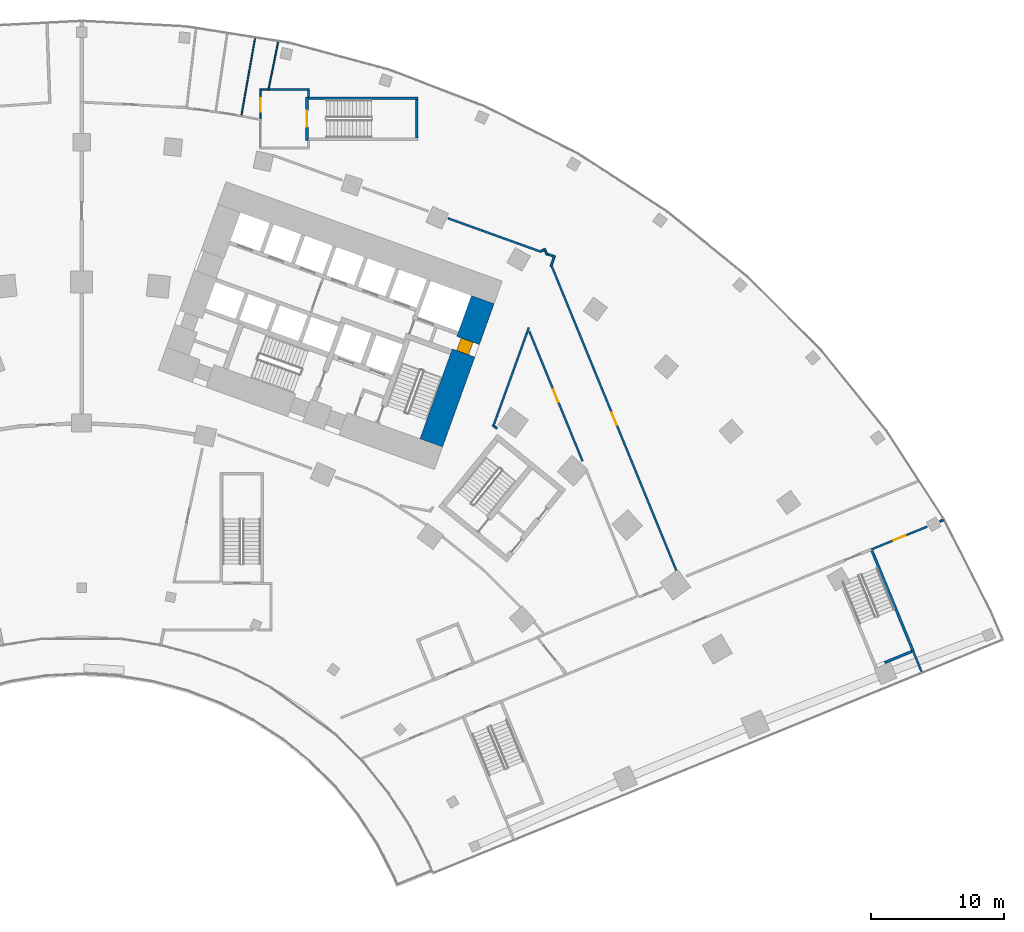
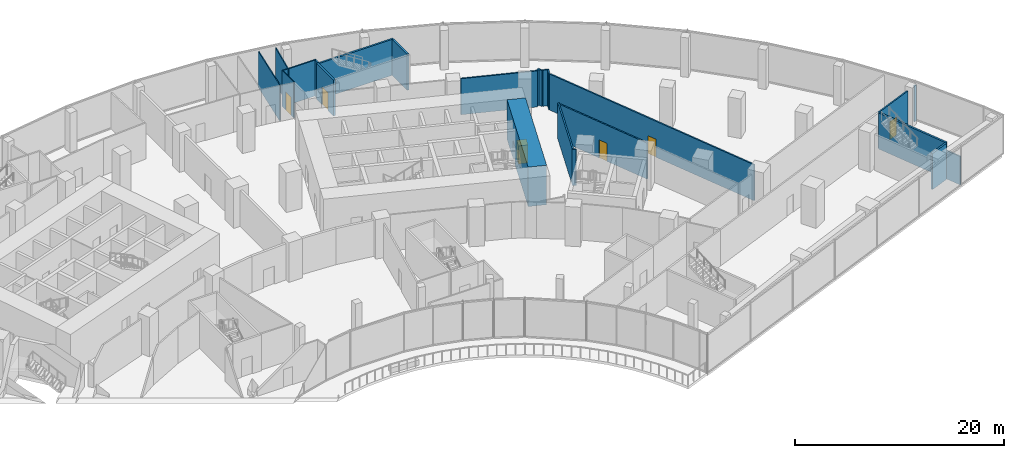
# One storey, part 29 of 39: 24 walls, 6 doors, 6 openings.
"""IFC4 building model written with IfcOpenShell, lengths in metres."""

import ifcopenshell
import ifcopenshell.guid

model = None  # the IFC model being written
_history = None  # IfcOwnerHistory: only IFC2X3 demands one
_inside = {}  # id of a spatial element -> (the spatial element, [elements in it])
_under = {}  # id of a project, library or spatial element -> (it, [spatial elements below it])
_declared = {}  # id of a project -> (the project, [libraries it declares])
_typed = {}  # id of a type object -> (the type object, [elements of that type])
_made_of = {}  # id of a material, layer set ... -> (it, [elements and type objects made of it])


def new_model(schema):
    """Start an empty IFC model of exactly this schema.

    Asked for "IFC4X3", IfcOpenShell would pick the latest addendum, in which some entities
    have other attributes; the version numbers below select the first issue.
    IFC2X3 requires an IfcOwnerHistory on every rooted entity: one is made here for all.
    """
    global model, _history
    if schema == "IFC4X3":
        model = ifcopenshell.file(schema_version=(4, 3, 0, 0))
    else:
        model = ifcopenshell.file(schema=schema)
    _inside.clear()
    _under.clear()
    _declared.clear()
    _typed.clear()
    _made_of.clear()
    _history = None
    if model.schema == "IFC2X3":
        org = make("IfcOrganization", Name="unknown")
        user = make(
            "IfcPersonAndOrganization",
            ThePerson=make("IfcPerson", FamilyName="unknown"),
            TheOrganization=org,
        )
        app = make(
            "IfcApplication",
            ApplicationDeveloper=org,
            Version="unknown",
            ApplicationFullName="unknown",
            ApplicationIdentifier="unknown",
        )
        _history = make(
            "IfcOwnerHistory",
            OwningUser=user,
            OwningApplication=app,
            ChangeAction="ADDED",
            CreationDate=0,
        )
    return model


def make(cls, **values):
    """One entity of the class cls with the attributes given. An attribute that is None is left unset."""
    return model.create_entity(
        cls, **{name: value for name, value in values.items() if value is not None}
    )


def rooted(cls, **values):
    """An entity with a GlobalId (a new one), such as an element, a storey or a relation."""
    return make(cls, GlobalId=ifcopenshell.guid.new(), OwnerHistory=_history, **values)


def si_unit(unit_type, name, prefix=None):
    """IfcSIUnit, for example si_unit("LENGTHUNIT", "METRE", prefix="MILLI")."""
    return make("IfcSIUnit", UnitType=unit_type, Prefix=prefix, Name=name)


def assignment(units):
    """IfcUnitAssignment: the units of a project."""
    return None if units is None else make("IfcUnitAssignment", Units=units)


def point(xyz):
    """IfcCartesianPoint."""
    return None if xyz is None else make("IfcCartesianPoint", Coordinates=xyz)


def direction(xyz):
    """IfcDirection."""
    return None if xyz is None else make("IfcDirection", DirectionRatios=xyz)


def frame(location, z_axis=None, x_axis=None):
    """IfcAxis2Placement3D, a coordinate frame: its origin and axes. An axis left out is left unset."""
    return make(
        "IfcAxis2Placement3D",
        Location=point(location),
        Axis=direction(z_axis),
        RefDirection=direction(x_axis),
    )


def frame_2d(location, x_axis=None):
    """IfcAxis2Placement2D, a coordinate frame in the plane: its origin and x axis."""
    return make(
        "IfcAxis2Placement2D", Location=point(location), RefDirection=direction(x_axis)
    )


def origin():
    """The frame at (0, 0, 0) with its axes left unset."""
    return frame((0.0, 0.0, 0.0))


def place(relative_to, where):
    """IfcLocalPlacement: puts the frame where relative to a parent placement (None: the world)."""
    return make(
        "IfcLocalPlacement", PlacementRelTo=relative_to, RelativePlacement=where
    )


def context(
    kind, dimensions, precision=None, world=None, true_north=None, identifier=None
):
    """IfcGeometricRepresentationContext, for example the 3D "Model" context."""
    return make(
        "IfcGeometricRepresentationContext",
        ContextIdentifier=identifier,
        ContextType=kind,
        CoordinateSpaceDimension=dimensions,
        Precision=precision,
        WorldCoordinateSystem=world,
        TrueNorth=true_north,
    )


def subcontext(parent, identifier, kind, view, scale=None):
    """IfcGeometricRepresentationSubContext, for example "Body" below "Model"."""
    return make(
        "IfcGeometricRepresentationSubContext",
        ContextIdentifier=identifier,
        ContextType=kind,
        ParentContext=parent,
        TargetScale=scale,
        TargetView=view,
    )


def project(units=None, contexts=None):
    """IfcProject with its units and contexts."""
    return rooted(
        "IfcProject",
        Name="project",
        RepresentationContexts=contexts,
        UnitsInContext=assignment(units),
    )


def spatial(cls, under=None, at=None, **own):
    """A site, building, storey or space (cls), placed at a placement, below another one or the project."""
    s = rooted(cls, ObjectPlacement=at, **own)
    if under is not None:
        _under.setdefault(under.id(), (under, []))[1].append(s)
    return s


def profile(cls, at=None, kind="AREA", **sizes):
    """A parametric profile (cls). Its sizes go by their IFC names, for example OverallWidth=200.0."""
    return make(cls, ProfileType=kind, Position=at, **sizes)


def rectangle(**sizes):
    """IfcRectangleProfileDef."""
    return profile("IfcRectangleProfileDef", **sizes)


def extrude(swept, where, along, depth):
    """IfcExtrudedAreaSolid: the profile swept, set in the frame where, extruded along a direction by depth."""
    return make(
        "IfcExtrudedAreaSolid",
        SweptArea=swept,
        Position=where,
        ExtrudedDirection=direction(along),
        Depth=depth,
    )


def shape(context_of_items, identifier, shape_type, items):
    """IfcShapeRepresentation: the items that make up one representation, for example the "Body"."""
    return make(
        "IfcShapeRepresentation",
        ContextOfItems=context_of_items,
        RepresentationIdentifier=identifier,
        RepresentationType=shape_type,
        Items=items,
    )


def material(Name=None, Category=None):
    """IfcMaterial."""
    return make("IfcMaterial", Name=Name, Category=Category)


def layer(
    of_material, thickness, ventilated=None, Name=None, Category=None, Priority=None
):
    """IfcMaterialLayer: one layer of a wall or slab, of a material (None: an air gap)."""
    return make(
        "IfcMaterialLayer",
        Material=of_material,
        LayerThickness=thickness,
        IsVentilated=ventilated,
        Name=Name,
        Category=Category,
        Priority=Priority,
    )


def layer_set(layers, Name=None):
    """IfcMaterialLayerSet."""
    return make("IfcMaterialLayerSet", MaterialLayers=layers, LayerSetName=Name)


def made_of(thing, what):
    """Note that an element or type object is made of a material, layer set ...; save() writes the relation."""
    if what is not None:
        _made_of.setdefault(what.id(), (what, []))[1].append(thing)
    return thing


def type_object(cls, material=None, **own):
    """A type object (cls), such as IfcWallType, which elements share."""
    return made_of(rooted(cls, **own), material)


def element(
    cls,
    number,
    at=None,
    inside=None,
    cuts=None,
    type_object=None,
    material=None,
    context=None,
    identifier="Body",
    shape_type=None,
    held_by="IfcProductDefinitionShape",
    body=None,
    shapes=None,
    **own,
):
    """One element of the class cls, such as IfcWall. Its Tag is "e" and its number.

    at: its placement. inside: the storey or other place that contains it. cuts: it is an
    opening in that element (IfcRelVoidsElement). A single representation is given by context,
    identifier, shape_type and body (its items); several are given by shapes. held_by: the class
    of the entity that holds the representations. save() writes the other relations.
    """
    e = rooted(cls, Tag="e%d" % number, ObjectPlacement=at, **own)
    if body is not None:
        shapes = [shape(context, identifier, shape_type, body)]
    if shapes is not None:
        e.Representation = make(held_by, Representations=shapes)
    if inside is not None:
        _inside.setdefault(inside.id(), (inside, []))[1].append(e)
    if cuts is not None:
        rooted(
            "IfcRelVoidsElement", RelatingBuildingElement=cuts, RelatedOpeningElement=e
        )
    if type_object is not None:
        _typed.setdefault(type_object.id(), (type_object, []))[1].append(e)
    return made_of(e, material)


def fill(opening, filler):
    """IfcRelFillsElement: the door or window that sits in an opening."""
    return rooted(
        "IfcRelFillsElement",
        RelatingOpeningElement=opening,
        RelatedBuildingElement=filler,
    )


def aggregate(whole, parts):
    """IfcRelAggregates: a whole, such as a stair, and the parts it consists of."""
    return rooted("IfcRelAggregates", RelatingObject=whole, RelatedObjects=parts)


def save(model, path):
    """Write the relations noted so far, then the file.

    IfcRelAggregates (storeys below a building ...), IfcRelContainedInSpatialStructure (elements
    in a storey), IfcRelDefinesByType, IfcRelAssociatesMaterial and IfcRelDeclares: one each for
    every whole, place, type object, material and project.
    """
    for whole, parts in _under.values():
        aggregate(whole, parts)
    for where, things in _inside.values():
        rooted(
            "IfcRelContainedInSpatialStructure",
            RelatedElements=things,
            RelatingStructure=where,
        )
    for kind, things in _typed.values():
        rooted("IfcRelDefinesByType", RelatedObjects=things, RelatingType=kind)
    for what, things in _made_of.values():
        rooted("IfcRelAssociatesMaterial", RelatedObjects=things, RelatingMaterial=what)
    for by, libraries in _declared.values():
        rooted("IfcRelDeclares", RelatingContext=by, RelatedDefinitions=libraries)
    model.write(path)


model = new_model("IFC4")

# Units and contexts
model_context = context("Model", 3, precision=1e-05, world=origin(), true_north=direction((0.0, 1.0)))
body_context = subcontext(model_context, "Body", "Model", "MODEL_VIEW")
ifc_project = project(units=[si_unit("LENGTHUNIT", "METRE"), si_unit("AREAUNIT", "SQUARE_METRE"), si_unit("VOLUMEUNIT", "CUBIC_METRE"), si_unit("PLANEANGLEUNIT", "RADIAN"), si_unit("MASSUNIT", "GRAM", prefix="KILO")], contexts=[model_context])

# Site, building, storey
site_placement = place(None, origin())
site = spatial("IfcSite", under=ifc_project, at=site_placement, CompositionType="ELEMENT")
building_placement = place(site_placement, origin())
building = spatial("IfcBuilding", under=site, at=building_placement, Name="Stone Belt Terrace Tower", CompositionType="ELEMENT")
storey_placement = place(building_placement, frame((0.0, 0.0, 20.800048828125)))
storey = spatial("IfcBuildingStorey", under=building, at=storey_placement, Name="L04", CompositionType="ELEMENT", Elevation=20.800048828125)

# Wall, opening, door
ifc_material_1 = material(Name="Concrete B80", Category="concrete")
ifc_layer_1 = layer(ifc_material_1, 1.800048828125)
ifc_layer_set_1 = layer_set([ifc_layer_1], Name="Core wall 1800 B80")
wall_type_1 = type_object("IfcWallType", Name="Core wall 1800 B80", PredefinedType="SHEAR", material=ifc_layer_set_1)
wall_1_placement = place(storey_placement, frame((26.197509765625, 42.96728515625, 0.0), z_axis=(0.0, 0.0, 1.0), x_axis=(0.338625431531, 0.940921259788, 0.0)))
wall_1 = element("IfcWall", 1, at=wall_1_placement, inside=storey, type_object=wall_type_1, Name="Core B wall end_b L04", PredefinedType="SHEAR", context=body_context, shape_type="SweptSolid", body=[
    extrude(rectangle(XDim=11.400146484375, YDim=1.800048828125, at=frame_2d((5.7001953125, 0.0))), origin(), (0.0, 0.0, 1.0), 4.599853515625),
])
opening_1_placement = place(wall_1_placement, frame((7.150146484375, 0.0, 0.0)))
opening_1 = element("IfcOpeningElement", 2, at=opening_1_placement, cuts=wall_1, Name="Opening L04-C12", PredefinedType="OPENING", context=body_context, shape_type="SweptSolid", body=[
    extrude(rectangle(XDim=1.0, YDim=2.10009765625, at=frame_2d((0.5, 1.050048828125))), frame((0.0, 0.909912109375, 0.0), z_axis=(0.0, -1.0, 0.0), x_axis=(1.0, 0.0, 0.0)), (0.0, 0.0, 1.0), 1.820068359375),
])
ifc_material_2 = material(Name="Timber door leaf", Category="wood")
door_type_1 = type_object("IfcDoorType", Name="Core room door 1000", OperationType="SINGLE_SWING_LEFT", PredefinedType="DOOR", material=ifc_material_2)
door_1_placement = place(opening_1_placement, origin())
door_1 = element("IfcDoor", 3, at=door_1_placement, inside=storey, type_object=door_type_1, Name="Door to Telecommunications riser room core B", OperationType="SINGLE_SWING_LEFT", OverallHeight=2.10009765625, OverallWidth=1.0, PredefinedType="DOOR", context=body_context, shape_type="SweptSolid", body=[
    extrude(rectangle(XDim=1.0, YDim=2.10009765625, at=frame_2d((0.5, 1.050048828125))), frame((0.0, 0.55517578125, 0.0), z_axis=(0.0, -1.0, 0.0), x_axis=(1.0, 0.0, 0.0)), (0.0, 0.0, 1.0), 0.949951171875),
])
fill(opening_1, door_1)

# Walls
ifc_material_3 = material(Name="Gypsum board on steel stud partition", Category="steel")
ifc_layer_2 = layer(ifc_material_3, 0.14990234375)
ifc_layer_set_2 = layer_set([ifc_layer_2], Name="Podium partition 150")
wall_type_2 = type_object("IfcWallType", Name="Podium partition 150", PredefinedType="PARTITIONING", material=ifc_layer_set_2)
wall_2_placement = place(storey_placement, frame((27.446044921875, 59.792236328125, 0.0), z_axis=(0.0, 0.0, 1.0), x_axis=(0.940867335077, -0.338775231955, 0.0)))
element("IfcWall", 4, at=wall_2_placement, inside=storey, type_object=wall_type_2, Name="Podium partition 150", PredefinedType="PARTITIONING", context=body_context, shape_type="SweptSolid", body=[
    extrude(rectangle(XDim=7.44140625, YDim=0.14990234375, at=frame_2d((3.720703125, 0.0))), origin(), (0.0, 0.0, 1.0), 4.199951171875),
])
wall_3_placement = place(storey_placement, frame((14.06689453125, 69.449951171875, 0.0), z_axis=(0.0, 0.0, 1.0), x_axis=(1.0, 0.0, 0.0)))
element("IfcWall", 5, at=wall_3_placement, inside=storey, type_object=wall_type_2, Name="Podium partition 150", PredefinedType="PARTITIONING", context=body_context, shape_type="SweptSolid", body=[
    extrude(rectangle(XDim=2.998046875, YDim=0.14990234375, at=frame_2d((1.4990234375, 0.0))), origin(), (0.0, 0.0, 1.0), 4.199951171875),
])
wall_4_placement = place(storey_placement, frame((16.989990234375, 68.8798828125, 0.0), z_axis=(0.0, 0.0, 1.0), x_axis=(0.0, 1.0, 0.0)))
element("IfcWall", 6, at=wall_4_placement, inside=storey, type_object=wall_type_2, Name="Podium partition 150", PredefinedType="PARTITIONING", context=body_context, shape_type="SweptSolid", body=[
    extrude(rectangle(XDim=0.4951171875, YDim=0.14990234375, at=frame_2d((0.24755859375, 0.0))), origin(), (0.0, 0.0, 1.0), 4.199951171875),
])
wall_5_placement = place(storey_placement, frame((30.798828125, 44.301513671875, 0.0), z_axis=(0.0, 0.0, 1.0), x_axis=(0.76570486479, -0.643192086423, 0.0)))
element("IfcWall", 7, at=wall_5_placement, inside=storey, type_object=wall_type_2, Name="Podium partition 150", PredefinedType="PARTITIONING", context=body_context, shape_type="SweptSolid", body=[
    extrude(rectangle(XDim=0.406494140625, YDim=0.14990234375, at=frame_2d((0.203125, 0.0))), origin(), (0.0, 0.0, 1.0), 4.199951171875),
])
wall_6_placement = place(storey_placement, frame((30.893310546875, 44.342041015625, 0.0), z_axis=(0.0, 0.0, 1.0), x_axis=(0.338691469888, 0.940897490817, 0.0)))
element("IfcWall", 8, at=wall_6_placement, inside=storey, type_object=wall_type_2, Name="Podium partition 150", PredefinedType="PARTITIONING", context=body_context, shape_type="SweptSolid", body=[
    extrude(rectangle(XDim=7.719482421875, YDim=0.14990234375, at=frame_2d((3.85986328125, 0.0))), origin(), (0.0, 0.0, 1.0), 4.199951171875),
])

# Wall, opening, door
wall_7_placement = place(storey_placement, frame((33.54345703125, 51.320556640625, 0.0), z_axis=(0.0, 0.0, 1.0), x_axis=(0.379280396549, -0.925281784536, 0.0)))
wall_7 = element("IfcWall", 9, at=wall_7_placement, inside=storey, type_object=wall_type_2, Name="Podium partition 150", PredefinedType="PARTITIONING", context=body_context, shape_type="SweptSolid", body=[
    extrude(rectangle(XDim=10.5244140625, YDim=0.14990234375, at=frame_2d((5.26220703125, 0.0))), origin(), (0.0, 0.0, 1.0), 4.199951171875),
])
opening_2_placement = place(wall_7_placement, frame((4.72119140625, 0.0, 0.0)))
opening_2 = element("IfcOpeningElement", 10, at=opening_2_placement, cuts=wall_7, Name="Opening L04-P29", PredefinedType="OPENING", context=body_context, shape_type="SweptSolid", body=[
    extrude(rectangle(XDim=1.0, YDim=2.10009765625, at=frame_2d((0.5, 1.050048828125))), frame((0.0, 0.0849609375, 0.0), z_axis=(0.0, -1.0, 0.0), x_axis=(1.0, 0.0, 0.0)), (0.0, 0.0, 1.0), 0.169921875),
])
ifc_material_4 = material(Name="Steel framed door leaf", Category="steel")
door_type_2 = type_object("IfcDoorType", Name="Podium door single 1000", OperationType="SINGLE_SWING_LEFT", PredefinedType="DOOR", material=ifc_material_4)
door_2_placement = place(opening_2_placement, origin())
door_2 = element("IfcDoor", 11, at=door_2_placement, inside=storey, type_object=door_type_2, Name="Podium door single 1000", OperationType="SINGLE_SWING_LEFT", OverallHeight=2.10009765625, OverallWidth=1.0, PredefinedType="DOOR", context=body_context, shape_type="SweptSolid", body=[
    extrude(rectangle(XDim=1.0, YDim=2.10009765625, at=frame_2d((0.5, 1.050048828125))), frame((0.0, 0.02490234375, 0.0), z_axis=(0.0, -1.0, 0.0), x_axis=(1.0, 0.0, 0.0)), (0.0, 0.0, 1.0), 0.050048828125),
])
fill(opening_2, door_2)

# Walls
wall_8_placement = place(storey_placement, frame((34.4462890625, 57.351318359375, 0.0), z_axis=(0.0, 0.0, 1.0), x_axis=(0.931925512589, 0.36264974698, 0.0)))
element("IfcWall", 12, at=wall_8_placement, inside=storey, type_object=wall_type_2, Name="Podium partition 150", PredefinedType="PARTITIONING", context=body_context, shape_type="SweptSolid", body=[
    extrude(rectangle(XDim=0.347412109375, YDim=0.14990234375, at=frame_2d((0.173828125, 0.0))), origin(), (0.0, 0.0, 1.0), 4.199951171875),
])
wall_9_placement = place(storey_placement, frame((34.72998046875, 57.381103515625, 0.0), z_axis=(0.0, 0.0, 1.0), x_axis=(0.401395188733, -0.915904963663, 0.0)))
element("IfcWall", 13, at=wall_9_placement, inside=storey, type_object=wall_type_2, Name="Podium partition 150", PredefinedType="PARTITIONING", context=body_context, shape_type="SweptSolid", body=[
    extrude(rectangle(XDim=0.377685546875, YDim=0.14990234375, at=frame_2d((0.18896484375, 0.0))), origin(), (0.0, 0.0, 1.0), 4.199951171875),
])
wall_10_placement = place(storey_placement, frame((34.937255859375, 57.0947265625, 0.0), z_axis=(0.0, 0.0, 1.0), x_axis=(0.940325382073, -0.340276616637, 0.0)))
element("IfcWall", 14, at=wall_10_placement, inside=storey, type_object=wall_type_2, Name="Podium partition 150", PredefinedType="PARTITIONING", context=body_context, shape_type="SweptSolid", body=[
    extrude(rectangle(XDim=0.58837890625, YDim=0.14990234375, at=frame_2d((0.294189453125, 0.0))), origin(), (0.0, 0.0, 1.0), 4.199951171875),
])
wall_11_placement = place(storey_placement, frame((35.152099609375, 56.174560546875, 0.0), z_axis=(0.0, 0.0, 1.0), x_axis=(0.338104492139, 0.941108576305, 0.0)))
element("IfcWall", 15, at=wall_11_placement, inside=storey, type_object=wall_type_2, Name="Podium partition 150", PredefinedType="PARTITIONING", context=body_context, shape_type="SweptSolid", body=[
    extrude(rectangle(XDim=0.717041015625, YDim=0.14990234375, at=frame_2d((0.3583984375, 0.0))), origin(), (0.0, 0.0, 1.0), 4.199951171875),
])

# Wall, opening, door
wall_12_placement = place(storey_placement, frame((35.232421875, 56.17626953125, 0.0), z_axis=(0.0, 0.0, 1.0), x_axis=(0.378909490347, -0.925433735134, 0.0)))
wall_12 = element("IfcWall", 16, at=wall_12_placement, inside=storey, type_object=wall_type_2, Name="Podium partition 150", PredefinedType="PARTITIONING", context=body_context, shape_type="SweptSolid", body=[
    extrude(rectangle(XDim=24.671142578125, YDim=0.14990234375, at=frame_2d((12.33544921875, 0.0))), origin(), (0.0, 0.0, 1.0), 4.199951171875),
])
opening_3_placement = place(wall_12_placement, frame((11.835693359375, 0.0, 0.0)))
opening_3 = element("IfcOpeningElement", 17, at=opening_3_placement, cuts=wall_12, Name="Opening L04-P28", PredefinedType="OPENING", context=body_context, shape_type="SweptSolid", body=[
    extrude(rectangle(XDim=1.0, YDim=2.10009765625, at=frame_2d((0.5, 1.050048828125))), frame((0.0, 0.0849609375, 0.0), z_axis=(0.0, -1.0, 0.0), x_axis=(1.0, 0.0, 0.0)), (0.0, 0.0, 1.0), 0.169921875),
])
door_3_placement = place(opening_3_placement, origin())
door_3 = element("IfcDoor", 18, at=door_3_placement, inside=storey, type_object=door_type_2, Name="Podium door single 1000", OperationType="SINGLE_SWING_RIGHT", OverallHeight=2.10009765625, OverallWidth=1.0, PredefinedType="DOOR", context=body_context, shape_type="SweptSolid", body=[
    extrude(rectangle(XDim=1.0, YDim=2.10009765625, at=frame_2d((0.5, 1.050048828125))), frame((0.0, 0.02490234375, 0.0), z_axis=(0.0, -1.0, 0.0), x_axis=(1.0, 0.0, 0.0)), (0.0, 0.0, 1.0), 0.050048828125),
])
fill(opening_3, door_3)

wall_13_placement = place(storey_placement, frame((59.18017578125, 34.97998046875, 0.0), z_axis=(0.0, 0.0, 1.0), x_axis=(0.925603654014, 0.378494221458, 0.0)))
wall_13 = element("IfcWall", 19, at=wall_13_placement, inside=storey, type_object=wall_type_2, Name="Podium partition 150", PredefinedType="PARTITIONING", context=body_context, shape_type="SweptSolid", body=[
    extrude(rectangle(XDim=4.526123046875, YDim=0.14990234375, at=frame_2d((2.26318359375, 0.0))), origin(), (0.0, 0.0, 1.0), 4.199951171875),
])
opening_4_placement = place(wall_13_placement, frame((1.76318359375, 0.0, 0.0)))
opening_4 = element("IfcOpeningElement", 20, at=opening_4_placement, cuts=wall_13, Name="Opening L04-P21", PredefinedType="OPENING", context=body_context, shape_type="SweptSolid", body=[
    extrude(rectangle(XDim=1.0, YDim=2.10009765625, at=frame_2d((0.5, 1.050048828125))), frame((0.0, 0.0849609375, 0.0), z_axis=(0.0, -1.0, 0.0), x_axis=(1.0, 0.0, 0.0)), (0.0, 0.0, 1.0), 0.169921875),
])
door_4_placement = place(opening_4_placement, origin())
door_4 = element("IfcDoor", 21, at=door_4_placement, inside=storey, type_object=door_type_2, Name="Podium door single 1000", OperationType="SINGLE_SWING_LEFT", OverallHeight=2.10009765625, OverallWidth=1.0, PredefinedType="DOOR", context=body_context, shape_type="SweptSolid", body=[
    extrude(rectangle(XDim=1.0, YDim=2.10009765625, at=frame_2d((0.5, 1.050048828125))), frame((0.0, 0.02490234375, 0.0), z_axis=(0.0, -1.0, 0.0), x_axis=(1.0, 0.0, 0.0)), (0.0, 0.0, 1.0), 0.050048828125),
])
fill(opening_4, door_4)

# Walls
wall_14_placement = place(storey_placement, frame((64.312744140625, 37.078857421875, 0.0), z_axis=(0.0, 0.0, 1.0), x_axis=(0.92567790555, 0.378312589238, 0.0)))
element("IfcWall", 22, at=wall_14_placement, inside=storey, type_object=wall_type_2, Name="Podium partition 150", PredefinedType="PARTITIONING", context=body_context, shape_type="SweptSolid", body=[
    extrude(rectangle(XDim=0.26708984375, YDim=0.14990234375, at=frame_2d((0.133544921875, 0.0))), origin(), (0.0, 0.0, 1.0), 4.199951171875),
])
wall_15_placement = place(storey_placement, frame((62.300048828125, 27.369873046875, 0.0), z_axis=(0.0, 0.0, 1.0), x_axis=(0.377466142262, -0.926023386015, 0.0)))
element("IfcWall", 23, at=wall_15_placement, inside=storey, type_object=wall_type_2, Name="Podium partition 150", PredefinedType="PARTITIONING", context=body_context, shape_type="SweptSolid", body=[
    extrude(rectangle(XDim=1.6953125, YDim=0.14990234375, at=frame_2d((0.84765625, 0.0))), origin(), (0.0, 0.0, 1.0), 3.300048828125),
])

# Wall, opening, door
ifc_material_5 = material(Name="Concrete B30", Category="concrete")
ifc_layer_3 = layer(ifc_material_5, 0.199951171875)
ifc_layer_set_3 = layer_set([ifc_layer_3], Name="Podium stair and shaft wall 200")
wall_type_3 = type_object("IfcWallType", Name="Podium stair and shaft wall 200", PredefinedType="SOLIDWALL", material=ifc_layer_set_3)
wall_16_placement = place(storey_placement, frame((16.889892578125, 65.6201171875, 0.0), z_axis=(0.0, 0.0, 1.0), x_axis=(0.0, 1.0, 0.0)))
wall_16 = element("IfcWall", 24, at=wall_16_placement, inside=storey, type_object=wall_type_3, Name="Podium stair and shaft wall 200", PredefinedType="SOLIDWALL", context=body_context, shape_type="SweptSolid", body=[
    extrude(rectangle(XDim=3.259765625, YDim=0.199951171875, at=frame_2d((1.6298828125, 0.0))), origin(), (0.0, 0.0, 1.0), 4.199951171875),
])
opening_5_placement = place(wall_16_placement, frame((1.030029296875, 0.0, 0.0)))
opening_5 = element("IfcOpeningElement", 25, at=opening_5_placement, cuts=wall_16, Name="Opening L04-P08", PredefinedType="OPENING", context=body_context, shape_type="SweptSolid", body=[
    extrude(rectangle(XDim=1.199951171875, YDim=2.10009765625, at=frame_2d((0.60009765625, 1.050048828125))), frame((0.0, 0.10986328125, 0.0), z_axis=(0.0, -1.0, 0.0), x_axis=(1.0, 0.0, 0.0)), (0.0, 0.0, 1.0), 0.219970703125),
])
door_type_3 = type_object("IfcDoorType", Name="Podium door fire stair 1200", OperationType="SINGLE_SWING_LEFT", PredefinedType="DOOR", material=ifc_material_4)
door_5_placement = place(opening_5_placement, origin())
door_5 = element("IfcDoor", 26, at=door_5_placement, inside=storey, type_object=door_type_3, Name="Podium door fire stair 1200", OperationType="SINGLE_SWING_RIGHT", OverallHeight=2.10009765625, OverallWidth=1.199951171875, PredefinedType="DOOR", context=body_context, shape_type="SweptSolid", body=[
    extrude(rectangle(XDim=1.199951171875, YDim=2.10009765625, at=frame_2d((0.60009765625, 1.050048828125))), frame((0.0, 0.02490234375, 0.0), z_axis=(0.0, -1.0, 0.0), x_axis=(1.0, 0.0, 0.0)), (0.0, 0.0, 1.0), 0.050048828125),
])
fill(opening_5, door_5)

# Walls
wall_17_placement = place(storey_placement, frame((16.989990234375, 68.780029296875, 0.0), z_axis=(0.0, 0.0, 1.0), x_axis=(1.0, 0.0, 0.0)))
element("IfcWall", 27, at=wall_17_placement, inside=storey, type_object=wall_type_3, Name="Podium stair and shaft wall 200", PredefinedType="SOLIDWALL", context=body_context, shape_type="SweptSolid", body=[
    extrude(rectangle(XDim=8.219970703125, YDim=0.199951171875, at=frame_2d((4.10986328125, 0.0))), origin(), (0.0, 0.0, 1.0), 4.199951171875),
])
wall_18_placement = place(storey_placement, frame((25.110107421875, 65.820068359375, 0.0), z_axis=(0.0, 0.0, 1.0), x_axis=(0.0, 1.0, 0.0)))
element("IfcWall", 28, at=wall_18_placement, inside=storey, type_object=wall_type_3, Name="Podium stair and shaft wall 200", PredefinedType="SOLIDWALL", context=body_context, shape_type="SweptSolid", body=[
    extrude(rectangle(XDim=2.85986328125, YDim=0.199951171875, at=frame_2d((1.429931640625, 0.0))), origin(), (0.0, 0.0, 1.0), 4.199951171875),
])
wall_19_placement = place(storey_placement, frame((59.218017578125, 34.887451171875, 0.0), z_axis=(0.0, 0.0, 1.0), x_axis=(0.379345306329, -0.925255174839, 0.0)))
element("IfcWall", 29, at=wall_19_placement, inside=storey, type_object=wall_type_3, Name="Podium stair and shaft wall 200", PredefinedType="SOLIDWALL", context=body_context, shape_type="SweptSolid", body=[
    extrude(rectangle(XDim=8.12451171875, YDim=0.199951171875, at=frame_2d((4.062255859375, 0.0))), origin(), (0.0, 0.0, 1.0), 4.199951171875),
])
wall_20_placement = place(storey_placement, frame((60.163818359375, 26.4912109375, 0.0), z_axis=(0.0, 0.0, 1.0), x_axis=(0.924790168115, 0.380477522278, 0.0)))
element("IfcWall", 30, at=wall_20_placement, inside=storey, type_object=wall_type_3, Name="Podium stair and shaft wall 200", PredefinedType="SOLIDWALL", context=body_context, shape_type="SweptSolid", body=[
    extrude(rectangle(XDim=2.2099609375, YDim=0.199951171875, at=frame_2d((1.10498046875, 0.0))), origin(), (0.0, 0.0, 1.0), 4.199951171875),
])
ifc_material_6 = material(Name="Moisture-resistant board on steel stud partition", Category="steel")
ifc_layer_4 = layer(ifc_material_6, 0.10009765625)
ifc_layer_set_4 = layer_set([ifc_layer_4], Name="Podium toilet partition 100")
wall_type_4 = type_object("IfcWallType", Name="Podium toilet partition 100", PredefinedType="PARTITIONING", material=ifc_layer_set_4)
wall_21_placement = place(storey_placement, frame((11.96875, 67.499267578125, 0.0), z_axis=(0.0, 0.0, 1.0), x_axis=(0.174241921873, 0.984702875319, 0.0)))
element("IfcWall", 31, at=wall_21_placement, inside=storey, type_object=wall_type_4, Name="Podium toilet partition 100", PredefinedType="PARTITIONING", context=body_context, shape_type="SweptSolid", body=[
    extrude(rectangle(XDim=5.947998046875, YDim=0.10009765625, at=frame_2d((2.97412109375, 0.0))), origin(), (0.0, 0.0, 1.0), 4.199951171875),
])

# Wall, opening, door
wall_22_placement = place(storey_placement, frame((13.389892578125, 67.239990234375, 0.0), z_axis=(0.0, 0.0, 1.0), x_axis=(0.0, 1.0, 0.0)))
wall_22 = element("IfcWall", 32, at=wall_22_placement, inside=storey, type_object=wall_type_4, Name="Podium toilet partition 100", PredefinedType="PARTITIONING", context=body_context, shape_type="SweptSolid", body=[
    extrude(rectangle(XDim=2.260009765625, YDim=0.10009765625, at=frame_2d((1.1298828125, 0.0))), origin(), (0.0, 0.0, 1.0), 4.199951171875),
])
opening_6_placement = place(wall_22_placement, frame((0.54345703125, 0.0, 0.0)))
opening_6 = element("IfcOpeningElement", 33, at=opening_6_placement, cuts=wall_22, Name="Opening L04-P15", PredefinedType="OPENING", context=body_context, shape_type="SweptSolid", body=[
    extrude(rectangle(XDim=1.0, YDim=2.10009765625, at=frame_2d((0.5, 1.050048828125))), frame((0.0, 0.06005859375, 0.0), z_axis=(0.0, -1.0, 0.0), x_axis=(1.0, 0.0, 0.0)), (0.0, 0.0, 1.0), 0.1201171875),
])
door_6_placement = place(opening_6_placement, origin())
door_6 = element("IfcDoor", 34, at=door_6_placement, inside=storey, type_object=door_type_2, Name="Podium door single 1000", OperationType="SINGLE_SWING_LEFT", OverallHeight=2.10009765625, OverallWidth=1.0, PredefinedType="DOOR", context=body_context, shape_type="SweptSolid", body=[
    extrude(rectangle(XDim=1.0, YDim=2.10009765625, at=frame_2d((0.5, 1.050048828125))), frame((0.0, 0.02490234375, 0.0), z_axis=(0.0, -1.0, 0.0), x_axis=(1.0, 0.0, 0.0)), (0.0, 0.0, 1.0), 0.050048828125),
])
fill(opening_6, door_6)

# Walls
wall_23_placement = place(storey_placement, frame((13.43994140625, 69.449951171875, 0.0), z_axis=(0.0, 0.0, 1.0), x_axis=(1.0, 0.0, 0.0)))
element("IfcWall", 35, at=wall_23_placement, inside=storey, type_object=wall_type_4, Name="Podium toilet partition 100", PredefinedType="PARTITIONING", context=body_context, shape_type="SweptSolid", body=[
    extrude(rectangle(XDim=0.498046875, YDim=0.10009765625, at=frame_2d((0.2490234375, 0.0))), origin(), (0.0, 0.0, 1.0), 4.199951171875),
])
wall_24_placement = place(storey_placement, frame((13.984619140625, 69.375, 0.0), z_axis=(0.0, 0.0, 1.0), x_axis=(0.199325132846, 0.979933411725, 0.0)))
element("IfcWall", 36, at=wall_24_placement, inside=storey, type_object=wall_type_4, Name="Podium toilet partition 100", PredefinedType="PARTITIONING", context=body_context, shape_type="SweptSolid", body=[
    extrude(rectangle(XDim=3.729736328125, YDim=0.10009765625, at=frame_2d((1.86474609375, 0.0))), origin(), (0.0, 0.0, 1.0), 4.199951171875),
])

save(model, "model.ifc")
